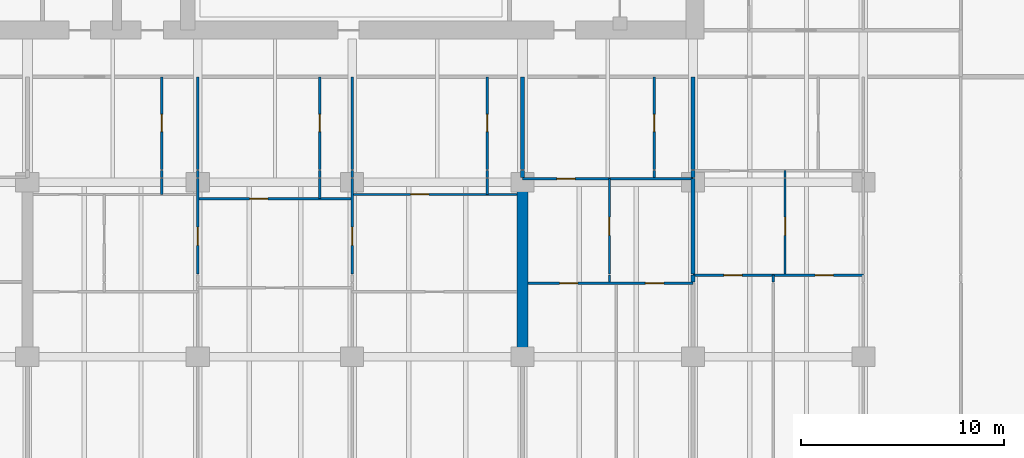
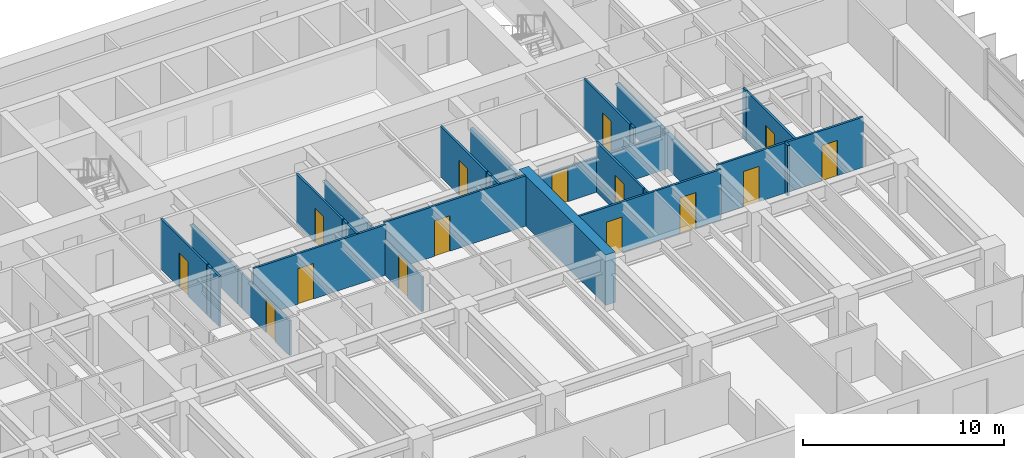
# One storey, part 9 of 17: 34 walls, 15 doors, 15 openings.
"""IFC4 building model written with IfcOpenShell, lengths in metres."""

import ifcopenshell
import ifcopenshell.guid

model = None  # the IFC model being written
_history = None  # IfcOwnerHistory: only IFC2X3 demands one
_inside = {}  # id of a spatial element -> (the spatial element, [elements in it])
_under = {}  # id of a project, library or spatial element -> (it, [spatial elements below it])
_declared = {}  # id of a project -> (the project, [libraries it declares])
_typed = {}  # id of a type object -> (the type object, [elements of that type])
_made_of = {}  # id of a material, layer set ... -> (it, [elements and type objects made of it])


def new_model(schema):
    """Start an empty IFC model of exactly this schema.

    Asked for "IFC4X3", IfcOpenShell would pick the latest addendum, in which some entities
    have other attributes; the version numbers below select the first issue.
    IFC2X3 requires an IfcOwnerHistory on every rooted entity: one is made here for all.
    """
    global model, _history
    if schema == "IFC4X3":
        model = ifcopenshell.file(schema_version=(4, 3, 0, 0))
    else:
        model = ifcopenshell.file(schema=schema)
    _inside.clear()
    _under.clear()
    _declared.clear()
    _typed.clear()
    _made_of.clear()
    _history = None
    if model.schema == "IFC2X3":
        org = make("IfcOrganization", Name="unknown")
        user = make(
            "IfcPersonAndOrganization",
            ThePerson=make("IfcPerson", FamilyName="unknown"),
            TheOrganization=org,
        )
        app = make(
            "IfcApplication",
            ApplicationDeveloper=org,
            Version="unknown",
            ApplicationFullName="unknown",
            ApplicationIdentifier="unknown",
        )
        _history = make(
            "IfcOwnerHistory",
            OwningUser=user,
            OwningApplication=app,
            ChangeAction="ADDED",
            CreationDate=0,
        )
    return model


def make(cls, **values):
    """One entity of the class cls with the attributes given. An attribute that is None is left unset."""
    return model.create_entity(
        cls, **{name: value for name, value in values.items() if value is not None}
    )


def rooted(cls, **values):
    """An entity with a GlobalId (a new one), such as an element, a storey or a relation."""
    return make(cls, GlobalId=ifcopenshell.guid.new(), OwnerHistory=_history, **values)


def si_unit(unit_type, name, prefix=None):
    """IfcSIUnit, for example si_unit("LENGTHUNIT", "METRE", prefix="MILLI")."""
    return make("IfcSIUnit", UnitType=unit_type, Prefix=prefix, Name=name)


def assignment(units):
    """IfcUnitAssignment: the units of a project."""
    return None if units is None else make("IfcUnitAssignment", Units=units)


def point(xyz):
    """IfcCartesianPoint."""
    return None if xyz is None else make("IfcCartesianPoint", Coordinates=xyz)


def direction(xyz):
    """IfcDirection."""
    return None if xyz is None else make("IfcDirection", DirectionRatios=xyz)


def frame(location, z_axis=None, x_axis=None):
    """IfcAxis2Placement3D, a coordinate frame: its origin and axes. An axis left out is left unset."""
    return make(
        "IfcAxis2Placement3D",
        Location=point(location),
        Axis=direction(z_axis),
        RefDirection=direction(x_axis),
    )


def frame_2d(location, x_axis=None):
    """IfcAxis2Placement2D, a coordinate frame in the plane: its origin and x axis."""
    return make(
        "IfcAxis2Placement2D", Location=point(location), RefDirection=direction(x_axis)
    )


def origin():
    """The frame at (0, 0, 0) with its axes left unset."""
    return frame((0.0, 0.0, 0.0))


def place(relative_to, where):
    """IfcLocalPlacement: puts the frame where relative to a parent placement (None: the world)."""
    return make(
        "IfcLocalPlacement", PlacementRelTo=relative_to, RelativePlacement=where
    )


def context(
    kind, dimensions, precision=None, world=None, true_north=None, identifier=None
):
    """IfcGeometricRepresentationContext, for example the 3D "Model" context."""
    return make(
        "IfcGeometricRepresentationContext",
        ContextIdentifier=identifier,
        ContextType=kind,
        CoordinateSpaceDimension=dimensions,
        Precision=precision,
        WorldCoordinateSystem=world,
        TrueNorth=true_north,
    )


def subcontext(parent, identifier, kind, view, scale=None):
    """IfcGeometricRepresentationSubContext, for example "Body" below "Model"."""
    return make(
        "IfcGeometricRepresentationSubContext",
        ContextIdentifier=identifier,
        ContextType=kind,
        ParentContext=parent,
        TargetScale=scale,
        TargetView=view,
    )


def project(units=None, contexts=None):
    """IfcProject with its units and contexts."""
    return rooted(
        "IfcProject",
        Name="project",
        RepresentationContexts=contexts,
        UnitsInContext=assignment(units),
    )


def spatial(cls, under=None, at=None, **own):
    """A site, building, storey or space (cls), placed at a placement, below another one or the project."""
    s = rooted(cls, ObjectPlacement=at, **own)
    if under is not None:
        _under.setdefault(under.id(), (under, []))[1].append(s)
    return s


def profile(cls, at=None, kind="AREA", **sizes):
    """A parametric profile (cls). Its sizes go by their IFC names, for example OverallWidth=200.0."""
    return make(cls, ProfileType=kind, Position=at, **sizes)


def rectangle(**sizes):
    """IfcRectangleProfileDef."""
    return profile("IfcRectangleProfileDef", **sizes)


def extrude(swept, where, along, depth):
    """IfcExtrudedAreaSolid: the profile swept, set in the frame where, extruded along a direction by depth."""
    return make(
        "IfcExtrudedAreaSolid",
        SweptArea=swept,
        Position=where,
        ExtrudedDirection=direction(along),
        Depth=depth,
    )


def shape(context_of_items, identifier, shape_type, items):
    """IfcShapeRepresentation: the items that make up one representation, for example the "Body"."""
    return make(
        "IfcShapeRepresentation",
        ContextOfItems=context_of_items,
        RepresentationIdentifier=identifier,
        RepresentationType=shape_type,
        Items=items,
    )


def material(Name=None, Category=None):
    """IfcMaterial."""
    return make("IfcMaterial", Name=Name, Category=Category)


def layer(
    of_material, thickness, ventilated=None, Name=None, Category=None, Priority=None
):
    """IfcMaterialLayer: one layer of a wall or slab, of a material (None: an air gap)."""
    return make(
        "IfcMaterialLayer",
        Material=of_material,
        LayerThickness=thickness,
        IsVentilated=ventilated,
        Name=Name,
        Category=Category,
        Priority=Priority,
    )


def layer_set(layers, Name=None):
    """IfcMaterialLayerSet."""
    return make("IfcMaterialLayerSet", MaterialLayers=layers, LayerSetName=Name)


def made_of(thing, what):
    """Note that an element or type object is made of a material, layer set ...; save() writes the relation."""
    if what is not None:
        _made_of.setdefault(what.id(), (what, []))[1].append(thing)
    return thing


def type_object(cls, material=None, **own):
    """A type object (cls), such as IfcWallType, which elements share."""
    return made_of(rooted(cls, **own), material)


def element(
    cls,
    number,
    at=None,
    inside=None,
    cuts=None,
    type_object=None,
    material=None,
    context=None,
    identifier="Body",
    shape_type=None,
    held_by="IfcProductDefinitionShape",
    body=None,
    shapes=None,
    **own,
):
    """One element of the class cls, such as IfcWall. Its Tag is "e" and its number.

    at: its placement. inside: the storey or other place that contains it. cuts: it is an
    opening in that element (IfcRelVoidsElement). A single representation is given by context,
    identifier, shape_type and body (its items); several are given by shapes. held_by: the class
    of the entity that holds the representations. save() writes the other relations.
    """
    e = rooted(cls, Tag="e%d" % number, ObjectPlacement=at, **own)
    if body is not None:
        shapes = [shape(context, identifier, shape_type, body)]
    if shapes is not None:
        e.Representation = make(held_by, Representations=shapes)
    if inside is not None:
        _inside.setdefault(inside.id(), (inside, []))[1].append(e)
    if cuts is not None:
        rooted(
            "IfcRelVoidsElement", RelatingBuildingElement=cuts, RelatedOpeningElement=e
        )
    if type_object is not None:
        _typed.setdefault(type_object.id(), (type_object, []))[1].append(e)
    return made_of(e, material)


def fill(opening, filler):
    """IfcRelFillsElement: the door or window that sits in an opening."""
    return rooted(
        "IfcRelFillsElement",
        RelatingOpeningElement=opening,
        RelatedBuildingElement=filler,
    )


def aggregate(whole, parts):
    """IfcRelAggregates: a whole, such as a stair, and the parts it consists of."""
    return rooted("IfcRelAggregates", RelatingObject=whole, RelatedObjects=parts)


def save(model, path):
    """Write the relations noted so far, then the file.

    IfcRelAggregates (storeys below a building ...), IfcRelContainedInSpatialStructure (elements
    in a storey), IfcRelDefinesByType, IfcRelAssociatesMaterial and IfcRelDeclares: one each for
    every whole, place, type object, material and project.
    """
    for whole, parts in _under.values():
        aggregate(whole, parts)
    for where, things in _inside.values():
        rooted(
            "IfcRelContainedInSpatialStructure",
            RelatedElements=things,
            RelatingStructure=where,
        )
    for kind, things in _typed.values():
        rooted("IfcRelDefinesByType", RelatedObjects=things, RelatingType=kind)
    for what, things in _made_of.values():
        rooted("IfcRelAssociatesMaterial", RelatedObjects=things, RelatingMaterial=what)
    for by, libraries in _declared.values():
        rooted("IfcRelDeclares", RelatingContext=by, RelatedDefinitions=libraries)
    model.write(path)


model = new_model("IFC4")

# Units and contexts
model_context = context("Model", 3, precision=1e-05, world=origin(), true_north=direction((0.0, 1.0)))
body_context = subcontext(model_context, "Body", "Model", "MODEL_VIEW")
ifc_project = project(units=[si_unit("LENGTHUNIT", "METRE"), si_unit("AREAUNIT", "SQUARE_METRE"), si_unit("VOLUMEUNIT", "CUBIC_METRE"), si_unit("PLANEANGLEUNIT", "RADIAN"), si_unit("MASSUNIT", "GRAM", prefix="KILO")], contexts=[model_context])

# Site, building, storey
site_placement = place(None, origin())
site = spatial("IfcSite", under=ifc_project, at=site_placement, CompositionType="ELEMENT")
building_placement = place(site_placement, origin())
building = spatial("IfcBuilding", under=site, at=building_placement, Name="Caelmar Bay Residences", CompositionType="ELEMENT")
storey_placement = place(building_placement, frame((0.0, 0.0, 49.800048828125)))
storey = spatial("IfcBuildingStorey", under=building, at=storey_placement, Name="L12", CompositionType="ELEMENT", Elevation=49.800048828125)

# Walls
ifc_material_1 = material(Name="Concrete f'c 70 MPa (10,000 psi)", Category="concrete")
ifc_layer_1 = layer(ifc_material_1, 0.550048828125)
ifc_layer_set_1 = layer_set([ifc_layer_1], Name="Concrete f'c 70 MPa (10,000 psi)")
wall_type_1 = type_object("IfcWallType", Name="SW-XSLB-550", PredefinedType="SHEAR", material=ifc_layer_set_1)
wall_1_placement = place(storey_placement, frame((51.10009765625, 20.800048828125, 0.0), z_axis=(0.0, 0.0, 1.0), x_axis=(0.0, 1.0, 0.0)))
element("IfcWall", 1, at=wall_1_placement, inside=storey, type_object=wall_type_1, Name="L12 Transverse Cross-Slab Shear Wall E8", PredefinedType="SHEAR", context=body_context, shape_type="SweptSolid", body=[
    extrude(rectangle(XDim=8.599853515625, YDim=0.550048828125, at=frame_2d((4.2998046875, 0.0))), origin(), (0.0, 0.0, 1.0), 3.050048828125),
])
ifc_material_2 = material(Name="Acoustic metal-stud gypsum partition 120 mm")
ifc_layer_2 = layer(ifc_material_2, 0.1201171875)
ifc_layer_set_2 = layer_set([ifc_layer_2], Name="Acoustic metal-stud gypsum partition 120 mm")
wall_type_2 = type_object("IfcWallType", Name="W-PRT-120", PredefinedType="PARTITIONING", material=ifc_layer_set_2)
wall_2_placement = place(storey_placement, frame((33.323974609375, 28.800048828125, 0.0), z_axis=(0.0, 0.0, 1.0), x_axis=(0.0, 1.0, 0.0)))
element("IfcWall", 2, at=wall_2_placement, inside=storey, type_object=wall_type_2, Name="L12 Partition Wall V045", PredefinedType="PARTITIONING", context=body_context, shape_type="SweptSolid", body=[
    extrude(rectangle(XDim=0.780029296875, YDim=0.1201171875, at=frame_2d((0.39013671875, 0.0))), origin(), (0.0, 0.0, 1.0), 3.050048828125),
])
wall_3_placement = place(storey_placement, frame((33.323974609375, 29.639892578125, 0.0), z_axis=(0.0, 0.0, 1.0), x_axis=(0.0, 1.0, 0.0)))
element("IfcWall", 3, at=wall_3_placement, inside=storey, type_object=wall_type_2, Name="L12 Partition Wall V046", PredefinedType="PARTITIONING", context=body_context, shape_type="SweptSolid", body=[
    extrude(rectangle(XDim=0.340087890625, YDim=0.1201171875, at=frame_2d((0.169921875, 0.0))), origin(), (0.0, 0.0, 1.0), 3.050048828125),
])

# Wall, opening, door
wall_4_placement = place(storey_placement, frame((33.323974609375, 30.0400390625, 0.0), z_axis=(0.0, 0.0, 1.0), x_axis=(0.0, 1.0, 0.0)))
wall_4 = element("IfcWall", 4, at=wall_4_placement, inside=storey, type_object=wall_type_2, Name="L12 Partition Wall V047", PredefinedType="PARTITIONING", context=body_context, shape_type="SweptSolid", body=[
    extrude(rectangle(XDim=4.56005859375, YDim=0.1201171875, at=frame_2d((2.280029296875, 0.0))), origin(), (0.0, 0.0, 1.0), 3.050048828125),
])
opening_1_placement = place(wall_4_placement, frame((1.85498046875, 0.0, 0.0)))
opening_1 = element("IfcOpeningElement", 5, at=opening_1_placement, cuts=wall_4, Name="Opening D-L12-135", PredefinedType="OPENING", context=body_context, shape_type="SweptSolid", body=[
    extrude(rectangle(XDim=0.85009765625, YDim=2.10009765625, at=frame_2d((0.425048828125, 1.050048828125))), frame((0.0, 0.070068359375, 0.0), z_axis=(0.0, -1.0, 0.0), x_axis=(1.0, 0.0, 0.0)), (0.0, 0.0, 1.0), 0.14013671875),
])
ifc_material_3 = material(Name="Solid walnut timber interior door leaf and frame", Category="wood")
ifc_layer_3 = layer(ifc_material_3, 0.050048828125)
ifc_layer_set_3 = layer_set([ifc_layer_3], Name="Solid walnut timber interior door leaf and frame")
door_type_1 = type_object("IfcDoorType", Name="D-BATH-850", OperationType="NOTDEFINED", PredefinedType="DOOR", material=ifc_layer_set_3)
door_1_placement = place(opening_1_placement, origin())
door_1 = element("IfcDoor", 6, at=door_1_placement, inside=storey, type_object=door_type_1, Name="L12 Residence 03 Guest Bathroom Door", OperationType="SINGLE_SWING_RIGHT", OverallHeight=2.10009765625, OverallWidth=0.85009765625, PredefinedType="DOOR", context=body_context, shape_type="SweptSolid", body=[
    extrude(rectangle(XDim=0.85009765625, YDim=2.10009765625, at=frame_2d((0.425048828125, 1.050048828125))), frame((0.0, 0.02490234375, 0.0), z_axis=(0.0, -1.0, 0.0), x_axis=(1.0, 0.0, 0.0)), (0.0, 0.0, 1.0), 0.050048828125),
])
fill(opening_1, door_1)

wall_5_placement = place(storey_placement, frame((35.10009765625, 24.889892578125, 0.0), z_axis=(0.0, 0.0, 1.0), x_axis=(0.0, 1.0, 0.0)))
wall_5 = element("IfcWall", 7, at=wall_5_placement, inside=storey, type_object=wall_type_2, Name="L12 Partition Wall V051", PredefinedType="PARTITIONING", context=body_context, shape_type="SweptSolid", body=[
    extrude(rectangle(XDim=4.690185546875, YDim=0.1201171875, at=frame_2d((2.34521484375, 0.0))), origin(), (0.0, 0.0, 1.0), 2.10986328125),
])
opening_2_placement = place(wall_5_placement, frame((1.405029296875, 0.0, 0.0)))
opening_2 = element("IfcOpeningElement", 8, at=opening_2_placement, cuts=wall_5, Name="Opening D-L12-139", PredefinedType="OPENING", context=body_context, shape_type="SweptSolid", body=[
    extrude(rectangle(XDim=0.89990234375, YDim=2.06005859375, at=frame_2d((0.449951171875, 1.030029296875))), frame((0.0, 0.070068359375, 0.0), z_axis=(0.0, -1.0, 0.0), x_axis=(1.0, 0.0, 0.0)), (0.0, 0.0, 1.0), 0.14013671875),
])
ifc_layer_4 = layer(ifc_material_3, 0.050048828125)
ifc_layer_set_4 = layer_set([ifc_layer_4], Name="Solid walnut timber interior door leaf and frame")
door_type_2 = type_object("IfcDoorType", Name="D-ROOM-900", OperationType="NOTDEFINED", PredefinedType="DOOR", material=ifc_layer_set_4)
door_2_placement = place(opening_2_placement, origin())
door_2 = element("IfcDoor", 9, at=door_2_placement, inside=storey, type_object=door_type_2, Name="L12 Residence 03 Formal Dining Room 1 Door", OperationType="SINGLE_SWING_RIGHT", OverallHeight=2.06005859375, OverallWidth=0.89990234375, PredefinedType="DOOR", context=body_context, shape_type="SweptSolid", body=[
    extrude(rectangle(XDim=0.89990234375, YDim=2.06005859375, at=frame_2d((0.449951171875, 1.030029296875))), frame((0.0, 0.02490234375, 0.0), z_axis=(0.0, -1.0, 0.0), x_axis=(1.0, 0.0, 0.0)), (0.0, 0.0, 1.0), 0.050048828125),
])
fill(opening_2, door_2)

# Walls
wall_6_placement = place(storey_placement, frame((35.10009765625, 29.639892578125, 0.0), z_axis=(0.0, 0.0, 1.0), x_axis=(0.0, 1.0, 0.0)))
element("IfcWall", 10, at=wall_6_placement, inside=storey, type_object=wall_type_2, Name="L12 Partition Wall V052", PredefinedType="PARTITIONING", context=body_context, shape_type="SweptSolid", body=[
    extrude(rectangle(XDim=0.340087890625, YDim=0.1201171875, at=frame_2d((0.169921875, 0.0))), origin(), (0.0, 0.0, 1.0), 2.10986328125),
])
wall_7_placement = place(storey_placement, frame((35.10009765625, 30.0400390625, 0.0), z_axis=(0.0, 0.0, 1.0), x_axis=(0.0, 1.0, 0.0)))
element("IfcWall", 11, at=wall_7_placement, inside=storey, type_object=wall_type_2, Name="L12 Partition Wall V053", PredefinedType="PARTITIONING", context=body_context, shape_type="SweptSolid", body=[
    extrude(rectangle(XDim=4.56005859375, YDim=0.1201171875, at=frame_2d((2.280029296875, 0.0))), origin(), (0.0, 0.0, 1.0), 2.10986328125),
])
wall_8_placement = place(storey_placement, frame((41.10009765625, 28.60009765625, 0.0), z_axis=(0.0, 0.0, 1.0), x_axis=(0.0, 1.0, 0.0)))
element("IfcWall", 12, at=wall_8_placement, inside=storey, type_object=wall_type_2, Name="L12 Partition Wall V057", PredefinedType="PARTITIONING", context=body_context, shape_type="SweptSolid", body=[
    extrude(rectangle(XDim=0.97998046875, YDim=0.1201171875, at=frame_2d((0.489990234375, 0.0))), origin(), (0.0, 0.0, 1.0), 3.050048828125),
])
wall_9_placement = place(storey_placement, frame((41.10009765625, 29.639892578125, 0.0), z_axis=(0.0, 0.0, 1.0), x_axis=(0.0, 1.0, 0.0)))
element("IfcWall", 13, at=wall_9_placement, inside=storey, type_object=wall_type_2, Name="L12 Partition Wall V058", PredefinedType="PARTITIONING", context=body_context, shape_type="SweptSolid", body=[
    extrude(rectangle(XDim=0.340087890625, YDim=0.1201171875, at=frame_2d((0.169921875, 0.0))), origin(), (0.0, 0.0, 1.0), 3.050048828125),
])

# Wall, opening, door
wall_10_placement = place(storey_placement, frame((41.10009765625, 30.0400390625, 0.0), z_axis=(0.0, 0.0, 1.0), x_axis=(0.0, 1.0, 0.0)))
wall_10 = element("IfcWall", 14, at=wall_10_placement, inside=storey, type_object=wall_type_2, Name="L12 Partition Wall V059", PredefinedType="PARTITIONING", context=body_context, shape_type="SweptSolid", body=[
    extrude(rectangle(XDim=4.56005859375, YDim=0.1201171875, at=frame_2d((2.280029296875, 0.0))), origin(), (0.0, 0.0, 1.0), 3.050048828125),
])
opening_3_placement = place(wall_10_placement, frame((1.85498046875, 0.0, 0.0)))
opening_3 = element("IfcOpeningElement", 15, at=opening_3_placement, cuts=wall_10, Name="Opening D-L12-141", PredefinedType="OPENING", context=body_context, shape_type="SweptSolid", body=[
    extrude(rectangle(XDim=0.85009765625, YDim=2.10009765625, at=frame_2d((0.425048828125, 1.050048828125))), frame((0.0, 0.070068359375, 0.0), z_axis=(0.0, -1.0, 0.0), x_axis=(1.0, 0.0, 0.0)), (0.0, 0.0, 1.0), 0.14013671875),
])
door_3_placement = place(opening_3_placement, origin())
door_3 = element("IfcDoor", 16, at=door_3_placement, inside=storey, type_object=door_type_1, Name="L12 Residence 03 En-Suite Bathroom 1 Door", OperationType="SINGLE_SWING_RIGHT", OverallHeight=2.10009765625, OverallWidth=0.85009765625, PredefinedType="DOOR", context=body_context, shape_type="SweptSolid", body=[
    extrude(rectangle(XDim=0.85009765625, YDim=2.10009765625, at=frame_2d((0.425048828125, 1.050048828125))), frame((0.0, 0.02490234375, 0.0), z_axis=(0.0, -1.0, 0.0), x_axis=(1.0, 0.0, 0.0)), (0.0, 0.0, 1.0), 0.050048828125),
])
fill(opening_3, door_3)

wall_11_placement = place(storey_placement, frame((42.699951171875, 24.889892578125, 0.0), z_axis=(0.0, 0.0, 1.0), x_axis=(0.0, 1.0, 0.0)))
wall_11 = element("IfcWall", 17, at=wall_11_placement, inside=storey, type_object=wall_type_2, Name="L12 Partition Wall V063", PredefinedType="PARTITIONING", context=body_context, shape_type="SweptSolid", body=[
    extrude(rectangle(XDim=4.690185546875, YDim=0.1201171875, at=frame_2d((2.34521484375, 0.0))), origin(), (0.0, 0.0, 1.0), 2.10986328125),
])
opening_4_placement = place(wall_11_placement, frame((1.405029296875, 0.0, 0.0)))
opening_4 = element("IfcOpeningElement", 18, at=opening_4_placement, cuts=wall_11, Name="Opening D-L12-144", PredefinedType="OPENING", context=body_context, shape_type="SweptSolid", body=[
    extrude(rectangle(XDim=0.89990234375, YDim=2.06005859375, at=frame_2d((0.449951171875, 1.030029296875))), frame((0.0, 0.070068359375, 0.0), z_axis=(0.0, -1.0, 0.0), x_axis=(1.0, 0.0, 0.0)), (0.0, 0.0, 1.0), 0.14013671875),
])
door_4_placement = place(opening_4_placement, origin())
door_4 = element("IfcDoor", 19, at=door_4_placement, inside=storey, type_object=door_type_2, Name="L12 Residence 03 Formal Dining Room 2 Door", OperationType="SINGLE_SWING_LEFT", OverallHeight=2.06005859375, OverallWidth=0.89990234375, PredefinedType="DOOR", context=body_context, shape_type="SweptSolid", body=[
    extrude(rectangle(XDim=0.89990234375, YDim=2.06005859375, at=frame_2d((0.449951171875, 1.030029296875))), frame((0.0, 0.02490234375, 0.0), z_axis=(0.0, -1.0, 0.0), x_axis=(1.0, 0.0, 0.0)), (0.0, 0.0, 1.0), 0.050048828125),
])
fill(opening_4, door_4)

# Walls
wall_12_placement = place(storey_placement, frame((42.699951171875, 29.639892578125, 0.0), z_axis=(0.0, 0.0, 1.0), x_axis=(0.0, 1.0, 0.0)))
element("IfcWall", 20, at=wall_12_placement, inside=storey, type_object=wall_type_2, Name="L12 Partition Wall V064", PredefinedType="PARTITIONING", context=body_context, shape_type="SweptSolid", body=[
    extrude(rectangle(XDim=0.340087890625, YDim=0.1201171875, at=frame_2d((0.169921875, 0.0))), origin(), (0.0, 0.0, 1.0), 2.10986328125),
])
wall_13_placement = place(storey_placement, frame((42.699951171875, 30.0400390625, 0.0), z_axis=(0.0, 0.0, 1.0), x_axis=(0.0, 1.0, 0.0)))
element("IfcWall", 21, at=wall_13_placement, inside=storey, type_object=wall_type_2, Name="L12 Partition Wall V065", PredefinedType="PARTITIONING", context=body_context, shape_type="SweptSolid", body=[
    extrude(rectangle(XDim=4.56005859375, YDim=0.1201171875, at=frame_2d((2.280029296875, 0.0))), origin(), (0.0, 0.0, 1.0), 2.10986328125),
])
wall_14_placement = place(storey_placement, frame((49.35888671875, 28.800048828125, 0.0), z_axis=(0.0, 0.0, 1.0), x_axis=(0.0, 1.0, 0.0)))
element("IfcWall", 22, at=wall_14_placement, inside=storey, type_object=wall_type_2, Name="L12 Partition Wall V069", PredefinedType="PARTITIONING", context=body_context, shape_type="SweptSolid", body=[
    extrude(rectangle(XDim=0.780029296875, YDim=0.1201171875, at=frame_2d((0.39013671875, 0.0))), origin(), (0.0, 0.0, 1.0), 3.050048828125),
])
wall_15_placement = place(storey_placement, frame((49.35888671875, 29.639892578125, 0.0), z_axis=(0.0, 0.0, 1.0), x_axis=(0.0, 1.0, 0.0)))
element("IfcWall", 23, at=wall_15_placement, inside=storey, type_object=wall_type_2, Name="L12 Partition Wall V070", PredefinedType="PARTITIONING", context=body_context, shape_type="SweptSolid", body=[
    extrude(rectangle(XDim=0.340087890625, YDim=0.1201171875, at=frame_2d((0.169921875, 0.0))), origin(), (0.0, 0.0, 1.0), 3.050048828125),
])

# Wall, opening, door
wall_16_placement = place(storey_placement, frame((49.35888671875, 30.0400390625, 0.0), z_axis=(0.0, 0.0, 1.0), x_axis=(0.0, 1.0, 0.0)))
wall_16 = element("IfcWall", 24, at=wall_16_placement, inside=storey, type_object=wall_type_2, Name="L12 Partition Wall V071", PredefinedType="PARTITIONING", context=body_context, shape_type="SweptSolid", body=[
    extrude(rectangle(XDim=4.56005859375, YDim=0.1201171875, at=frame_2d((2.280029296875, 0.0))), origin(), (0.0, 0.0, 1.0), 3.050048828125),
])
opening_5_placement = place(wall_16_placement, frame((1.85498046875, 0.0, 0.0)))
opening_5 = element("IfcOpeningElement", 25, at=opening_5_placement, cuts=wall_16, Name="Opening D-L12-146", PredefinedType="OPENING", context=body_context, shape_type="SweptSolid", body=[
    extrude(rectangle(XDim=0.85009765625, YDim=2.10009765625, at=frame_2d((0.425048828125, 1.050048828125))), frame((0.0, 0.070068359375, 0.0), z_axis=(0.0, -1.0, 0.0), x_axis=(1.0, 0.0, 0.0)), (0.0, 0.0, 1.0), 0.14013671875),
])
door_5_placement = place(opening_5_placement, origin())
door_5 = element("IfcDoor", 26, at=door_5_placement, inside=storey, type_object=door_type_1, Name="L12 Residence 03 En-Suite Bathroom 2 Door", OperationType="SINGLE_SWING_LEFT", OverallHeight=2.10009765625, OverallWidth=0.85009765625, PredefinedType="DOOR", context=body_context, shape_type="SweptSolid", body=[
    extrude(rectangle(XDim=0.85009765625, YDim=2.10009765625, at=frame_2d((0.425048828125, 1.050048828125))), frame((0.0, 0.02490234375, 0.0), z_axis=(0.0, -1.0, 0.0), x_axis=(1.0, 0.0, 0.0)), (0.0, 0.0, 1.0), 0.050048828125),
])
fill(opening_5, door_5)

# Wall
wall_17_placement = place(storey_placement, frame((55.385986328125, 24.489990234375, 0.0), z_axis=(0.0, 0.0, 1.0), x_axis=(0.0, 1.0, 0.0)))
element("IfcWall", 27, at=wall_17_placement, inside=storey, type_object=wall_type_2, Name="L12 Partition Wall V079", PredefinedType="PARTITIONING", context=body_context, shape_type="SweptSolid", body=[
    extrude(rectangle(XDim=0.340087890625, YDim=0.1201171875, at=frame_2d((0.169921875, 0.0))), origin(), (0.0, 0.0, 1.0), 3.050048828125),
])

# Wall, opening, door
wall_18_placement = place(storey_placement, frame((55.385986328125, 24.889892578125, 0.0), z_axis=(0.0, 0.0, 1.0), x_axis=(0.0, 1.0, 0.0)))
wall_18 = element("IfcWall", 28, at=wall_18_placement, inside=storey, type_object=wall_type_2, Name="L12 Partition Wall V080", PredefinedType="PARTITIONING", context=body_context, shape_type="SweptSolid", body=[
    extrude(rectangle(XDim=4.690185546875, YDim=0.1201171875, at=frame_2d((2.34521484375, 0.0))), origin(), (0.0, 0.0, 1.0), 3.050048828125),
])
opening_6_placement = place(wall_18_placement, frame((1.89501953125, 0.0, 0.0)))
opening_6 = element("IfcOpeningElement", 29, at=opening_6_placement, cuts=wall_18, Name="Opening D-L12-152", PredefinedType="OPENING", context=body_context, shape_type="SweptSolid", body=[
    extrude(rectangle(XDim=0.89990234375, YDim=2.14990234375, at=frame_2d((0.449951171875, 1.074951171875))), frame((0.0, 0.070068359375, 0.0), z_axis=(0.0, -1.0, 0.0), x_axis=(1.0, 0.0, 0.0)), (0.0, 0.0, 1.0), 0.14013671875),
])
door_6_placement = place(opening_6_placement, origin())
door_6 = element("IfcDoor", 30, at=door_6_placement, inside=storey, type_object=door_type_2, Name="L12 Residence 04 Formal Dining Room Door", OperationType="SINGLE_SWING_LEFT", OverallHeight=2.14990234375, OverallWidth=0.89990234375, PredefinedType="DOOR", context=body_context, shape_type="SweptSolid", body=[
    extrude(rectangle(XDim=0.89990234375, YDim=2.14990234375, at=frame_2d((0.449951171875, 1.074951171875))), frame((0.0, 0.02490234375, 0.0), z_axis=(0.0, -1.0, 0.0), x_axis=(1.0, 0.0, 0.0)), (0.0, 0.0, 1.0), 0.050048828125),
])
fill(opening_6, door_6)

# Wall
wall_19_placement = place(storey_placement, frame((57.587890625, 29.639892578125, 0.0), z_axis=(0.0, 0.0, 1.0), x_axis=(0.0, 1.0, 0.0)))
element("IfcWall", 31, at=wall_19_placement, inside=storey, type_object=wall_type_2, Name="L12 Partition Wall V084", PredefinedType="PARTITIONING", context=body_context, shape_type="SweptSolid", body=[
    extrude(rectangle(XDim=0.340087890625, YDim=0.1201171875, at=frame_2d((0.169921875, 0.0))), origin(), (0.0, 0.0, 1.0), 3.050048828125),
])

# Wall, opening, door
wall_20_placement = place(storey_placement, frame((57.587890625, 30.0400390625, 0.0), z_axis=(0.0, 0.0, 1.0), x_axis=(0.0, 1.0, 0.0)))
wall_20 = element("IfcWall", 32, at=wall_20_placement, inside=storey, type_object=wall_type_2, Name="L12 Partition Wall V085", PredefinedType="PARTITIONING", context=body_context, shape_type="SweptSolid", body=[
    extrude(rectangle(XDim=4.56005859375, YDim=0.1201171875, at=frame_2d((2.280029296875, 0.0))), origin(), (0.0, 0.0, 1.0), 3.050048828125),
])
opening_7_placement = place(wall_20_placement, frame((1.85498046875, 0.0, 0.0)))
opening_7 = element("IfcOpeningElement", 33, at=opening_7_placement, cuts=wall_20, Name="Opening D-L12-150", PredefinedType="OPENING", context=body_context, shape_type="SweptSolid", body=[
    extrude(rectangle(XDim=0.85009765625, YDim=2.10009765625, at=frame_2d((0.425048828125, 1.050048828125))), frame((0.0, 0.070068359375, 0.0), z_axis=(0.0, -1.0, 0.0), x_axis=(1.0, 0.0, 0.0)), (0.0, 0.0, 1.0), 0.14013671875),
])
door_7_placement = place(opening_7_placement, origin())
door_7 = element("IfcDoor", 34, at=door_7_placement, inside=storey, type_object=door_type_1, Name="L12 Residence 04 Bathroom Door", OperationType="SINGLE_SWING_LEFT", OverallHeight=2.10009765625, OverallWidth=0.85009765625, PredefinedType="DOOR", context=body_context, shape_type="SweptSolid", body=[
    extrude(rectangle(XDim=0.85009765625, YDim=2.10009765625, at=frame_2d((0.425048828125, 1.050048828125))), frame((0.0, 0.02490234375, 0.0), z_axis=(0.0, -1.0, 0.0), x_axis=(1.0, 0.0, 0.0)), (0.0, 0.0, 1.0), 0.050048828125),
])
fill(opening_7, door_7)

# Wall
wall_21_placement = place(storey_placement, frame((63.447998046875, 24.489990234375, 0.0), z_axis=(0.0, 0.0, 1.0), x_axis=(0.0, 1.0, 0.0)))
element("IfcWall", 35, at=wall_21_placement, inside=storey, type_object=wall_type_2, Name="L12 Partition Wall V095", PredefinedType="PARTITIONING", context=body_context, shape_type="SweptSolid", body=[
    extrude(rectangle(XDim=0.340087890625, YDim=0.1201171875, at=frame_2d((0.169921875, 0.0))), origin(), (0.0, 0.0, 1.0), 3.050048828125),
])

# Wall, opening, door
wall_22_placement = place(storey_placement, frame((64.035888671875, 24.889892578125, 0.0), z_axis=(0.0, 0.0, 1.0), x_axis=(0.0, 1.0, 0.0)))
wall_22 = element("IfcWall", 36, at=wall_22_placement, inside=storey, type_object=wall_type_2, Name="L12 Partition Wall V096", PredefinedType="PARTITIONING", context=body_context, shape_type="SweptSolid", body=[
    extrude(rectangle(XDim=4.690185546875, YDim=0.1201171875, at=frame_2d((2.34521484375, 0.0))), origin(), (0.0, 0.0, 1.0), 3.050048828125),
])
opening_8_placement = place(wall_22_placement, frame((1.89501953125, 0.0, 0.0)))
opening_8 = element("IfcOpeningElement", 37, at=opening_8_placement, cuts=wall_22, Name="Opening D-L12-159", PredefinedType="OPENING", context=body_context, shape_type="SweptSolid", body=[
    extrude(rectangle(XDim=0.89990234375, YDim=2.14990234375, at=frame_2d((0.449951171875, 1.074951171875))), frame((0.0, 0.070068359375, 0.0), z_axis=(0.0, -1.0, 0.0), x_axis=(1.0, 0.0, 0.0)), (0.0, 0.0, 1.0), 0.14013671875),
])
door_8_placement = place(opening_8_placement, origin())
door_8 = element("IfcDoor", 38, at=door_8_placement, inside=storey, type_object=door_type_2, Name="L12 Residence 05 Formal Dining Room Door", OperationType="SINGLE_SWING_RIGHT", OverallHeight=2.14990234375, OverallWidth=0.89990234375, PredefinedType="DOOR", context=body_context, shape_type="SweptSolid", body=[
    extrude(rectangle(XDim=0.89990234375, YDim=2.14990234375, at=frame_2d((0.449951171875, 1.074951171875))), frame((0.0, 0.02490234375, 0.0), z_axis=(0.0, -1.0, 0.0), x_axis=(1.0, 0.0, 0.0)), (0.0, 0.0, 1.0), 0.050048828125),
])
fill(opening_8, door_8)

# Wall
wall_23_placement = place(storey_placement, frame((64.035888671875, 29.639892578125, 0.0), z_axis=(0.0, 0.0, 1.0), x_axis=(0.0, 1.0, 0.0)))
element("IfcWall", 39, at=wall_23_placement, inside=storey, type_object=wall_type_2, Name="L12 Partition Wall V097", PredefinedType="PARTITIONING", context=body_context, shape_type="SweptSolid", body=[
    extrude(rectangle(XDim=0.340087890625, YDim=0.1201171875, at=frame_2d((0.169921875, 0.0))), origin(), (0.0, 0.0, 1.0), 3.050048828125),
])

# Wall, openings, doors
wall_24_placement = place(storey_placement, frame((51.3701171875, 24.429931640625, 0.0), z_axis=(0.0, 0.0, 1.0), x_axis=(1.0, 0.0, 0.0)))
wall_24 = element("IfcWall", 40, at=wall_24_placement, inside=storey, type_object=wall_type_2, Name="L12 Partition Wall H121", PredefinedType="PARTITIONING", context=body_context, shape_type="SweptSolid", body=[
    extrude(rectangle(XDim=8.1298828125, YDim=0.1201171875, at=frame_2d((4.06494140625, 0.0))), origin(), (0.0, 0.0, 1.0), 3.050048828125),
])
opening_9_placement = place(wall_24_placement, frame((1.55810546875, 0.0, 0.0)))
opening_9 = element("IfcOpeningElement", 41, at=opening_9_placement, cuts=wall_24, Name="Opening D-L12-153", PredefinedType="OPENING", context=body_context, shape_type="SweptSolid", body=[
    extrude(rectangle(XDim=0.89990234375, YDim=2.14990234375, at=frame_2d((0.449951171875, 1.074951171875))), frame((0.0, 0.070068359375, 0.0), z_axis=(0.0, -1.0, 0.0), x_axis=(1.0, 0.0, 0.0)), (0.0, 0.0, 1.0), 0.14013671875),
])
opening_10_placement = place(wall_24_placement, frame((5.7900390625, 0.0, 0.0)))
opening_10 = element("IfcOpeningElement", 42, at=opening_10_placement, cuts=wall_24, Name="Opening D-L12-154", PredefinedType="OPENING", context=body_context, shape_type="SweptSolid", body=[
    extrude(rectangle(XDim=0.89990234375, YDim=2.14990234375, at=frame_2d((0.449951171875, 1.074951171875))), frame((0.0, 0.070068359375, 0.0), z_axis=(0.0, -1.0, 0.0), x_axis=(1.0, 0.0, 0.0)), (0.0, 0.0, 1.0), 0.14013671875),
])
door_9_placement = place(opening_9_placement, origin())
door_9 = element("IfcDoor", 43, at=door_9_placement, inside=storey, type_object=door_type_2, Name="L12 Residence 04 Penthouse Living Salon Door", OperationType="SINGLE_SWING_RIGHT", OverallHeight=2.14990234375, OverallWidth=0.89990234375, PredefinedType="DOOR", context=body_context, shape_type="SweptSolid", body=[
    extrude(rectangle(XDim=0.89990234375, YDim=2.14990234375, at=frame_2d((0.449951171875, 1.074951171875))), frame((0.0, 0.02490234375, 0.0), z_axis=(0.0, -1.0, 0.0), x_axis=(1.0, 0.0, 0.0)), (0.0, 0.0, 1.0), 0.050048828125),
])
fill(opening_9, door_9)
door_10_placement = place(opening_10_placement, origin())
door_10 = element("IfcDoor", 44, at=door_10_placement, inside=storey, type_object=door_type_2, Name="L12 Residence 04 Penthouse Sitting Room Door", OperationType="SINGLE_SWING_LEFT", OverallHeight=2.14990234375, OverallWidth=0.89990234375, PredefinedType="DOOR", context=body_context, shape_type="SweptSolid", body=[
    extrude(rectangle(XDim=0.89990234375, YDim=2.14990234375, at=frame_2d((0.449951171875, 1.074951171875))), frame((0.0, 0.02490234375, 0.0), z_axis=(0.0, -1.0, 0.0), x_axis=(1.0, 0.0, 0.0)), (0.0, 0.0, 1.0), 0.050048828125),
])
fill(opening_10, door_10)

wall_25_placement = place(storey_placement, frame((59.5, 24.830078125, 0.0), z_axis=(0.0, 0.0, 1.0), x_axis=(1.0, 0.0, 0.0)))
wall_25 = element("IfcWall", 45, at=wall_25_placement, inside=storey, type_object=wall_type_2, Name="L12 Partition Wall H123", PredefinedType="PARTITIONING", context=body_context, shape_type="SweptSolid", body=[
    extrude(rectangle(XDim=8.39990234375, YDim=0.1201171875, at=frame_2d((4.199951171875, 0.0))), origin(), (0.0, 0.0, 1.0), 3.050048828125),
])
opening_11_placement = place(wall_25_placement, frame((1.52392578125, 0.0, 0.0)))
opening_11 = element("IfcOpeningElement", 46, at=opening_11_placement, cuts=wall_25, Name="Opening D-L12-160", PredefinedType="OPENING", context=body_context, shape_type="SweptSolid", body=[
    extrude(rectangle(XDim=0.89990234375, YDim=2.14990234375, at=frame_2d((0.449951171875, 1.074951171875))), frame((0.0, 0.070068359375, 0.0), z_axis=(0.0, -1.0, 0.0), x_axis=(1.0, 0.0, 0.0)), (0.0, 0.0, 1.0), 0.14013671875),
])
opening_12_placement = place(wall_25_placement, frame((6.01806640625, 0.0, 0.0)))
opening_12 = element("IfcOpeningElement", 47, at=opening_12_placement, cuts=wall_25, Name="Opening D-L12-161", PredefinedType="OPENING", context=body_context, shape_type="SweptSolid", body=[
    extrude(rectangle(XDim=0.89990234375, YDim=2.14990234375, at=frame_2d((0.449951171875, 1.074951171875))), frame((0.0, 0.070068359375, 0.0), z_axis=(0.0, -1.0, 0.0), x_axis=(1.0, 0.0, 0.0)), (0.0, 0.0, 1.0), 0.14013671875),
])
door_11_placement = place(opening_11_placement, origin())
door_11 = element("IfcDoor", 48, at=door_11_placement, inside=storey, type_object=door_type_2, Name="L12 Residence 05 Penthouse Living Salon Door", OperationType="SINGLE_SWING_LEFT", OverallHeight=2.14990234375, OverallWidth=0.89990234375, PredefinedType="DOOR", context=body_context, shape_type="SweptSolid", body=[
    extrude(rectangle(XDim=0.89990234375, YDim=2.14990234375, at=frame_2d((0.449951171875, 1.074951171875))), frame((0.0, 0.02490234375, 0.0), z_axis=(0.0, -1.0, 0.0), x_axis=(1.0, 0.0, 0.0)), (0.0, 0.0, 1.0), 0.050048828125),
])
fill(opening_11, door_11)
door_12_placement = place(opening_12_placement, origin())
door_12 = element("IfcDoor", 49, at=door_12_placement, inside=storey, type_object=door_type_2, Name="L12 Residence 05 Penthouse Sitting Room Door", OperationType="SINGLE_SWING_RIGHT", OverallHeight=2.14990234375, OverallWidth=0.89990234375, PredefinedType="DOOR", context=body_context, shape_type="SweptSolid", body=[
    extrude(rectangle(XDim=0.89990234375, YDim=2.14990234375, at=frame_2d((0.449951171875, 1.074951171875))), frame((0.0, 0.02490234375, 0.0), z_axis=(0.0, -1.0, 0.0), x_axis=(1.0, 0.0, 0.0)), (0.0, 0.0, 1.0), 0.050048828125),
])
fill(opening_12, door_12)

# Wall, opening, door
wall_26_placement = place(storey_placement, frame((35.10009765625, 28.60009765625, 0.0), z_axis=(0.0, 0.0, 1.0), x_axis=(1.0, 0.0, 0.0)))
wall_26 = element("IfcWall", 50, at=wall_26_placement, inside=storey, type_object=wall_type_2, Name="L12 Partition Wall H125", PredefinedType="PARTITIONING", context=body_context, shape_type="SweptSolid", body=[
    extrude(rectangle(XDim=7.599853515625, YDim=0.1201171875, at=frame_2d((3.7998046875, 0.0))), origin(), (0.0, 0.0, 1.0), 3.050048828125),
])
opening_13_placement = place(wall_26_placement, frame((2.550048828125, 0.0, 0.0)))
opening_13 = element("IfcOpeningElement", 51, at=opening_13_placement, cuts=wall_26, Name="Opening D-L12-140", PredefinedType="OPENING", context=body_context, shape_type="SweptSolid", body=[
    extrude(rectangle(XDim=0.89990234375, YDim=2.14990234375, at=frame_2d((0.449951171875, 1.074951171875))), frame((0.0, 0.070068359375, 0.0), z_axis=(0.0, -1.0, 0.0), x_axis=(1.0, 0.0, 0.0)), (0.0, 0.0, 1.0), 0.14013671875),
])
door_13_placement = place(opening_13_placement, origin())
door_13 = element("IfcDoor", 52, at=door_13_placement, inside=storey, type_object=door_type_2, Name="L12 Residence 03 Breakfast Dining Room 1 Door", OperationType="SINGLE_SWING_LEFT", OverallHeight=2.14990234375, OverallWidth=0.89990234375, PredefinedType="DOOR", context=body_context, shape_type="SweptSolid", body=[
    extrude(rectangle(XDim=0.89990234375, YDim=2.14990234375, at=frame_2d((0.449951171875, 1.074951171875))), frame((0.0, 0.02490234375, 0.0), z_axis=(0.0, -1.0, 0.0), x_axis=(1.0, 0.0, 0.0)), (0.0, 0.0, 1.0), 0.050048828125),
])
fill(opening_13, door_13)

wall_27_placement = place(storey_placement, frame((42.705078125, 28.800048828125, 0.0), z_axis=(0.0, 0.0, 1.0), x_axis=(1.0, 0.0, 0.0)))
wall_27 = element("IfcWall", 53, at=wall_27_placement, inside=storey, type_object=wall_type_2, Name="L12 Partition Wall H127", PredefinedType="PARTITIONING", context=body_context, shape_type="SweptSolid", body=[
    extrude(rectangle(XDim=8.125, YDim=0.1201171875, at=frame_2d((4.0625, 0.0))), origin(), (0.0, 0.0, 1.0), 3.050048828125),
])
opening_14_placement = place(wall_27_placement, frame((2.876953125, 0.0, 0.0)))
opening_14 = element("IfcOpeningElement", 54, at=opening_14_placement, cuts=wall_27, Name="Opening D-L12-145", PredefinedType="OPENING", context=body_context, shape_type="SweptSolid", body=[
    extrude(rectangle(XDim=0.89990234375, YDim=2.14990234375, at=frame_2d((0.449951171875, 1.074951171875))), frame((0.0, 0.070068359375, 0.0), z_axis=(0.0, -1.0, 0.0), x_axis=(1.0, 0.0, 0.0)), (0.0, 0.0, 1.0), 0.14013671875),
])
door_14_placement = place(opening_14_placement, origin())
door_14 = element("IfcDoor", 55, at=door_14_placement, inside=storey, type_object=door_type_2, Name="L12 Residence 03 Breakfast Dining Room 2 Door", OperationType="SINGLE_SWING_RIGHT", OverallHeight=2.14990234375, OverallWidth=0.89990234375, PredefinedType="DOOR", context=body_context, shape_type="SweptSolid", body=[
    extrude(rectangle(XDim=0.89990234375, YDim=2.14990234375, at=frame_2d((0.449951171875, 1.074951171875))), frame((0.0, 0.02490234375, 0.0), z_axis=(0.0, -1.0, 0.0), x_axis=(1.0, 0.0, 0.0)), (0.0, 0.0, 1.0), 0.050048828125),
])
fill(opening_14, door_14)

wall_28_placement = place(storey_placement, frame((51.10009765625, 29.580078125, 0.0), z_axis=(0.0, 0.0, 1.0), x_axis=(1.0, 0.0, 0.0)))
wall_28 = element("IfcWall", 56, at=wall_28_placement, inside=storey, type_object=wall_type_2, Name="L12 Partition Wall H128", PredefinedType="PARTITIONING", context=body_context, shape_type="SweptSolid", body=[
    extrude(rectangle(XDim=8.39990234375, YDim=0.1201171875, at=frame_2d((4.199951171875, 0.0))), origin(), (0.0, 0.0, 1.0), 2.10986328125),
])
opening_15_placement = place(wall_28_placement, frame((1.693115234375, 0.0, 0.0)))
opening_15 = element("IfcOpeningElement", 57, at=opening_15_placement, cuts=wall_28, Name="Opening D-L12-151", PredefinedType="OPENING", context=body_context, shape_type="SweptSolid", body=[
    extrude(rectangle(XDim=0.89990234375, YDim=2.06005859375, at=frame_2d((0.449951171875, 1.030029296875))), frame((0.0, 0.070068359375, 0.0), z_axis=(0.0, -1.0, 0.0), x_axis=(1.0, 0.0, 0.0)), (0.0, 0.0, 1.0), 0.14013671875),
])
door_15_placement = place(opening_15_placement, origin())
door_15 = element("IfcDoor", 58, at=door_15_placement, inside=storey, type_object=door_type_2, Name="L12 Residence 04 Kitchen Door", OperationType="SINGLE_SWING_RIGHT", OverallHeight=2.06005859375, OverallWidth=0.89990234375, PredefinedType="DOOR", context=body_context, shape_type="SweptSolid", body=[
    extrude(rectangle(XDim=0.89990234375, YDim=2.06005859375, at=frame_2d((0.449951171875, 1.030029296875))), frame((0.0, 0.02490234375, 0.0), z_axis=(0.0, -1.0, 0.0), x_axis=(1.0, 0.0, 0.0)), (0.0, 0.0, 1.0), 0.050048828125),
])
fill(opening_15, door_15)

# Walls
ifc_material_4 = material(Name="Acoustic twin-stud fire-rated inter-tenancy partition 200 mm")
ifc_layer_5 = layer(ifc_material_4, 0.199951171875)
ifc_layer_set_5 = layer_set([ifc_layer_5], Name="Acoustic twin-stud fire-rated inter-tenancy partition 200 mm")
wall_type_3 = type_object("IfcWallType", Name="W-PTY-200", PredefinedType="PARTITIONING", material=ifc_layer_set_5)
wall_29_placement = place(storey_placement, frame((51.10009765625, 29.639892578125, 0.0), z_axis=(0.0, 0.0, 1.0), x_axis=(0.0, 1.0, 0.0)))
element("IfcWall", 59, at=wall_29_placement, inside=storey, type_object=wall_type_3, Name="L12 Partition Wall V076", PredefinedType="PARTITIONING", context=body_context, shape_type="SweptSolid", body=[
    extrude(rectangle(XDim=0.340087890625, YDim=0.199951171875, at=frame_2d((0.169921875, 0.0))), origin(), (0.0, 0.0, 1.0), 2.3349609375),
])
wall_30_placement = place(storey_placement, frame((51.10009765625, 30.0400390625, 0.0), z_axis=(0.0, 0.0, 1.0), x_axis=(0.0, 1.0, 0.0)))
element("IfcWall", 60, at=wall_30_placement, inside=storey, type_object=wall_type_3, Name="L12 Partition Wall V077", PredefinedType="PARTITIONING", context=body_context, shape_type="SweptSolid", body=[
    extrude(rectangle(XDim=4.56005859375, YDim=0.199951171875, at=frame_2d((2.280029296875, 0.0))), origin(), (0.0, 0.0, 1.0), 2.3349609375),
])
wall_31_placement = place(storey_placement, frame((59.5, 24.489990234375, 0.0), z_axis=(0.0, 0.0, 1.0), x_axis=(0.0, 1.0, 0.0)))
element("IfcWall", 61, at=wall_31_placement, inside=storey, type_object=wall_type_3, Name="L12 Partition Wall V088", PredefinedType="PARTITIONING", context=body_context, shape_type="SweptSolid", body=[
    extrude(rectangle(XDim=0.340087890625, YDim=0.199951171875, at=frame_2d((0.169921875, 0.0))), origin(), (0.0, 0.0, 1.0), 2.10986328125),
])
wall_32_placement = place(storey_placement, frame((59.5, 24.889892578125, 0.0), z_axis=(0.0, 0.0, 1.0), x_axis=(0.0, 1.0, 0.0)))
element("IfcWall", 62, at=wall_32_placement, inside=storey, type_object=wall_type_3, Name="L12 Partition Wall V089", PredefinedType="PARTITIONING", context=body_context, shape_type="SweptSolid", body=[
    extrude(rectangle(XDim=4.690185546875, YDim=0.199951171875, at=frame_2d((2.34521484375, 0.0))), origin(), (0.0, 0.0, 1.0), 2.10986328125),
])
wall_33_placement = place(storey_placement, frame((59.5, 29.639892578125, 0.0), z_axis=(0.0, 0.0, 1.0), x_axis=(0.0, 1.0, 0.0)))
element("IfcWall", 63, at=wall_33_placement, inside=storey, type_object=wall_type_3, Name="L12 Partition Wall V090", PredefinedType="PARTITIONING", context=body_context, shape_type="SweptSolid", body=[
    extrude(rectangle(XDim=0.340087890625, YDim=0.199951171875, at=frame_2d((0.169921875, 0.0))), origin(), (0.0, 0.0, 1.0), 2.10986328125),
])
wall_34_placement = place(storey_placement, frame((59.5, 30.0400390625, 0.0), z_axis=(0.0, 0.0, 1.0), x_axis=(0.0, 1.0, 0.0)))
element("IfcWall", 64, at=wall_34_placement, inside=storey, type_object=wall_type_3, Name="L12 Partition Wall V091", PredefinedType="PARTITIONING", context=body_context, shape_type="SweptSolid", body=[
    extrude(rectangle(XDim=4.56005859375, YDim=0.199951171875, at=frame_2d((2.280029296875, 0.0))), origin(), (0.0, 0.0, 1.0), 2.10986328125),
])

save(model, "model.ifc")
